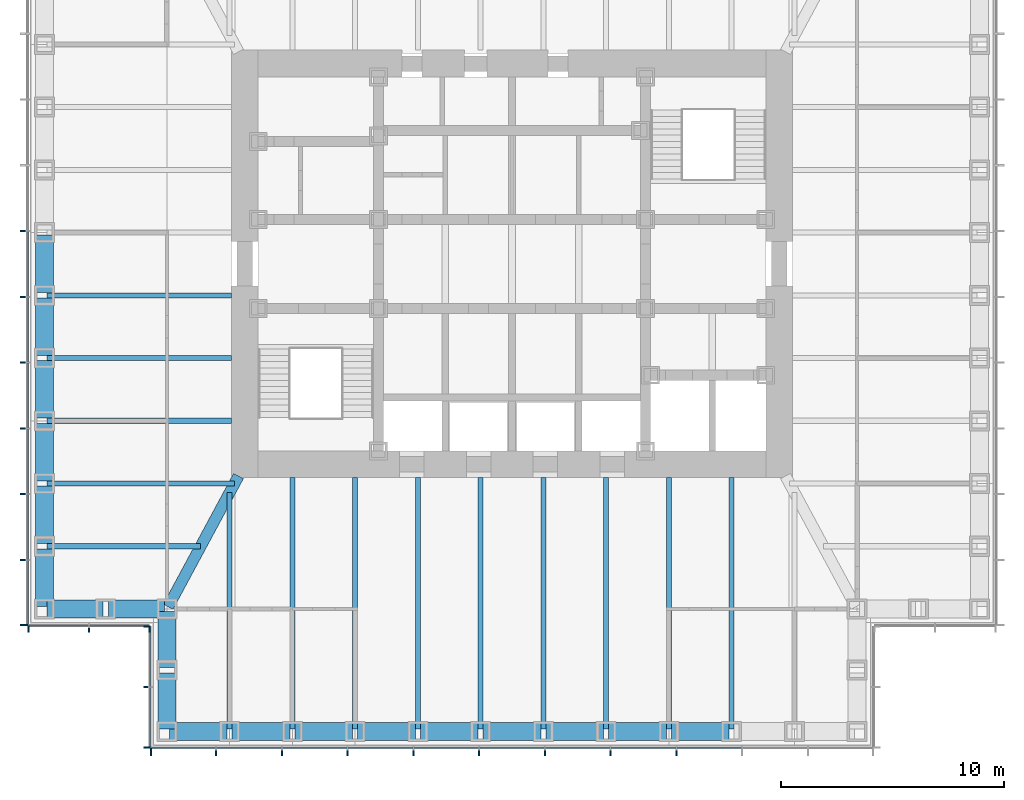
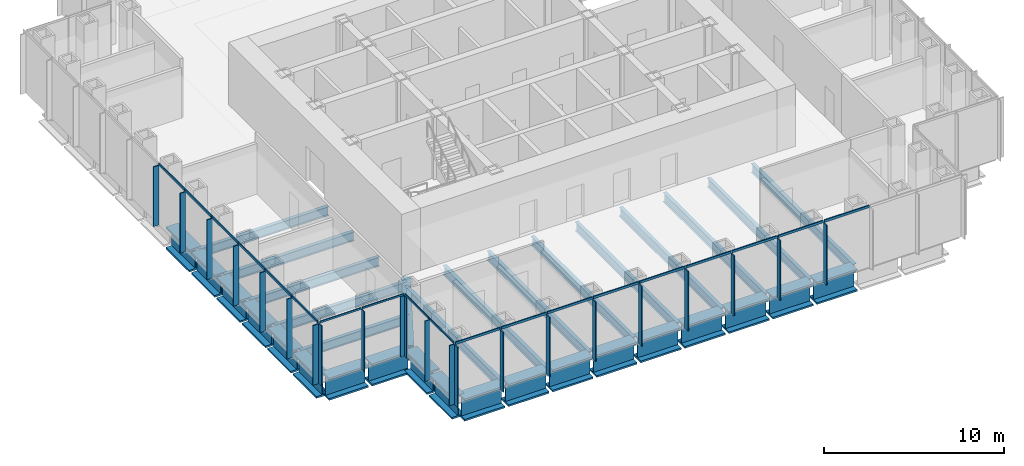
# One storey, part 2 of 16: 41 members, 34 beams, 4 elements without a shape of their own.
"""IFC4 building model written with IfcOpenShell, lengths in metres."""

from ifc_helpers import new_model, si_unit, direction, frame, origin, origin_2d, place, context, subcontext, project, spatial, rectangle, i_section, extrude, material, material_profile, profile_set, type_object, element, aggregate, save


model = new_model("IFC4")

# Units and contexts
model_context = context("Model", 3, precision=1e-05, world=origin(), true_north=direction((0.0, 1.0)))
body_context = subcontext(model_context, "Body", "Model", "MODEL_VIEW")
ifc_project = project(units=[si_unit("LENGTHUNIT", "METRE"), si_unit("AREAUNIT", "SQUARE_METRE"), si_unit("VOLUMEUNIT", "CUBIC_METRE"), si_unit("PLANEANGLEUNIT", "RADIAN"), si_unit("MASSUNIT", "GRAM", prefix="KILO")], contexts=[model_context])

# Site, building, storey
site_placement = place(None, origin())
site = spatial("IfcSite", under=ifc_project, at=site_placement, CompositionType="ELEMENT")
building_placement = place(site_placement, origin())
building = spatial("IfcBuilding", under=site, at=building_placement, Name="Daluyong Arena Tower", CompositionType="ELEMENT")
storey_placement = place(building_placement, frame((0.0, 0.0, 198.10009765625)))
storey = spatial("IfcBuildingStorey", under=building, at=storey_placement, Name="L44", CompositionType="ELEMENT", Elevation=198.10009765625)

# Curtain wall, members
ifc_material_1 = material(Name="Bronze anodised aluminium and glass", Category="aluminium")
curtain_wall_type_1 = type_object("IfcCurtainWallType", Name="Curtain wall CW3", PredefinedType="USERDEFINED", material=ifc_material_1)
curtain_wall_1_placement = place(storey_placement, origin())
curtain_wall_1 = element("IfcCurtainWall", 1, at=curtain_wall_1_placement, inside=storey, type_object=curtain_wall_type_1, Name="curtain wall L44 S", ObjectType="UNITISED CURTAIN WALL", PredefinedType="USERDEFINED")
ifc_material_2 = material(Name="Bronze anodised aluminium fin", Category="aluminium")
ifc_material_profile_1 = material_profile(ifc_material_2, rectangle(XDim=0.35009765625, YDim=0.070068359375, at=origin_2d()))
ifc_profile_set_1 = profile_set([ifc_material_profile_1], Name="Bronze anodised aluminium fin")
member_type_1 = type_object("IfcMemberType", Name="CW3 bronze fin 350x70", PredefinedType="MULLION", material=ifc_profile_set_1)
member_1_placement = place(storey_placement, frame((39.784912109375, 58.074951171875, 0.0), z_axis=(0.0, 0.0, 1.0), x_axis=(0.0, 1.0, 0.0)))
member_1 = element("IfcMember", 2, at=member_1_placement, type_object=member_type_1, Name="curtain wall L44 S fin 1", PredefinedType="MULLION", context=body_context, shape_type="SweptSolid", body=[
    extrude(rectangle(XDim=0.35009765625, YDim=0.070068359375, at=origin_2d()), origin(), (0.0, 0.0, 1.0), 4.039794921875),
])
member_2_placement = place(storey_placement, frame((42.70458984375, 58.074951171875, 0.0), z_axis=(0.0, 0.0, 1.0), x_axis=(0.0, 1.0, 0.0)))
member_2 = element("IfcMember", 3, at=member_2_placement, type_object=member_type_1, Name="curtain wall L44 S fin 2", PredefinedType="MULLION", context=body_context, shape_type="SweptSolid", body=[
    extrude(rectangle(XDim=0.35009765625, YDim=0.070068359375, at=origin_2d()), origin(), (0.0, 0.0, 1.0), 4.039794921875),
])
member_3_placement = place(storey_placement, frame((45.6591796875, 58.074951171875, 0.0), z_axis=(0.0, 0.0, 1.0), x_axis=(0.0, 1.0, 0.0)))
member_3 = element("IfcMember", 4, at=member_3_placement, type_object=member_type_1, Name="curtain wall L44 S fin 3", PredefinedType="MULLION", context=body_context, shape_type="SweptSolid", body=[
    extrude(rectangle(XDim=0.35009765625, YDim=0.070068359375, at=origin_2d()), origin(), (0.0, 0.0, 1.0), 4.039794921875),
])
member_4_placement = place(storey_placement, frame((48.613525390625, 58.074951171875, 0.0), z_axis=(0.0, 0.0, 1.0), x_axis=(0.0, 1.0, 0.0)))
member_4 = element("IfcMember", 5, at=member_4_placement, type_object=member_type_1, Name="curtain wall L44 S fin 4", PredefinedType="MULLION", context=body_context, shape_type="SweptSolid", body=[
    extrude(rectangle(XDim=0.35009765625, YDim=0.070068359375, at=origin_2d()), origin(), (0.0, 0.0, 1.0), 4.039794921875),
])
member_5_placement = place(storey_placement, frame((51.568115234375, 58.074951171875, 0.0), z_axis=(0.0, 0.0, 1.0), x_axis=(0.0, 1.0, 0.0)))
member_5 = element("IfcMember", 6, at=member_5_placement, type_object=member_type_1, Name="curtain wall L44 S fin 5", PredefinedType="MULLION", context=body_context, shape_type="SweptSolid", body=[
    extrude(rectangle(XDim=0.35009765625, YDim=0.070068359375, at=origin_2d()), origin(), (0.0, 0.0, 1.0), 4.039794921875),
])
member_6_placement = place(storey_placement, frame((54.522705078125, 58.074951171875, 0.0), z_axis=(0.0, 0.0, 1.0), x_axis=(0.0, 1.0, 0.0)))
member_6 = element("IfcMember", 7, at=member_6_placement, type_object=member_type_1, Name="curtain wall L44 S fin 6", PredefinedType="MULLION", context=body_context, shape_type="SweptSolid", body=[
    extrude(rectangle(XDim=0.35009765625, YDim=0.070068359375, at=origin_2d()), origin(), (0.0, 0.0, 1.0), 4.039794921875),
])
member_7_placement = place(storey_placement, frame((57.477294921875, 58.074951171875, 0.0), z_axis=(0.0, 0.0, 1.0), x_axis=(0.0, 1.0, 0.0)))
member_7 = element("IfcMember", 8, at=member_7_placement, type_object=member_type_1, Name="curtain wall L44 S fin 7", PredefinedType="MULLION", context=body_context, shape_type="SweptSolid", body=[
    extrude(rectangle(XDim=0.35009765625, YDim=0.070068359375, at=origin_2d()), origin(), (0.0, 0.0, 1.0), 4.039794921875),
])
member_8_placement = place(storey_placement, frame((60.431884765625, 58.074951171875, 0.0), z_axis=(0.0, 0.0, 1.0), x_axis=(0.0, 1.0, 0.0)))
member_8 = element("IfcMember", 9, at=member_8_placement, type_object=member_type_1, Name="curtain wall L44 S fin 8", PredefinedType="MULLION", context=body_context, shape_type="SweptSolid", body=[
    extrude(rectangle(XDim=0.35009765625, YDim=0.070068359375, at=origin_2d()), origin(), (0.0, 0.0, 1.0), 4.039794921875),
])
member_9_placement = place(storey_placement, frame((63.386474609375, 58.074951171875, 0.0), z_axis=(0.0, 0.0, 1.0), x_axis=(0.0, 1.0, 0.0)))
member_9 = element("IfcMember", 10, at=member_9_placement, type_object=member_type_1, Name="curtain wall L44 S fin 9", PredefinedType="MULLION", context=body_context, shape_type="SweptSolid", body=[
    extrude(rectangle(XDim=0.35009765625, YDim=0.070068359375, at=origin_2d()), origin(), (0.0, 0.0, 1.0), 4.039794921875),
])

curtain_wall_2_placement = place(storey_placement, origin())
curtain_wall_2 = element("IfcCurtainWall", 11, at=curtain_wall_2_placement, inside=storey, type_object=curtain_wall_type_1, Name="curtain wall L44 W", ObjectType="UNITISED CURTAIN WALL", PredefinedType="USERDEFINED")
member_10_placement = place(storey_placement, frame((34.074951171875, 81.477294921875, 0.0), z_axis=(0.0, 0.0, 1.0), x_axis=(1.0, 0.0, 0.0)))
member_10 = element("IfcMember", 12, at=member_10_placement, type_object=member_type_1, Name="curtain wall L44 W fin 6", PredefinedType="MULLION", context=body_context, shape_type="SweptSolid", body=[
    extrude(rectangle(XDim=0.35009765625, YDim=0.070068359375, at=origin_2d()), origin(), (0.0, 0.0, 1.0), 4.039794921875),
])
member_11_placement = place(storey_placement, frame((34.074951171875, 78.522705078125, 0.0), z_axis=(0.0, 0.0, 1.0), x_axis=(1.0, 0.0, 0.0)))
member_11 = element("IfcMember", 13, at=member_11_placement, type_object=member_type_1, Name="curtain wall L44 W fin 7", PredefinedType="MULLION", context=body_context, shape_type="SweptSolid", body=[
    extrude(rectangle(XDim=0.35009765625, YDim=0.070068359375, at=origin_2d()), origin(), (0.0, 0.0, 1.0), 4.039794921875),
])
member_12_placement = place(storey_placement, frame((34.074951171875, 75.568115234375, 0.0), z_axis=(0.0, 0.0, 1.0), x_axis=(1.0, 0.0, 0.0)))
member_12 = element("IfcMember", 14, at=member_12_placement, type_object=member_type_1, Name="curtain wall L44 W fin 8", PredefinedType="MULLION", context=body_context, shape_type="SweptSolid", body=[
    extrude(rectangle(XDim=0.35009765625, YDim=0.070068359375, at=origin_2d()), origin(), (0.0, 0.0, 1.0), 4.039794921875),
])
member_13_placement = place(storey_placement, frame((34.074951171875, 72.613525390625, 0.0), z_axis=(0.0, 0.0, 1.0), x_axis=(1.0, 0.0, 0.0)))
member_13 = element("IfcMember", 15, at=member_13_placement, type_object=member_type_1, Name="curtain wall L44 W fin 9", PredefinedType="MULLION", context=body_context, shape_type="SweptSolid", body=[
    extrude(rectangle(XDim=0.35009765625, YDim=0.070068359375, at=origin_2d()), origin(), (0.0, 0.0, 1.0), 4.039794921875),
])
member_14_placement = place(storey_placement, frame((34.074951171875, 69.6591796875, 0.0), z_axis=(0.0, 0.0, 1.0), x_axis=(1.0, 0.0, 0.0)))
member_14 = element("IfcMember", 16, at=member_14_placement, type_object=member_type_1, Name="curtain wall L44 W fin 10", PredefinedType="MULLION", context=body_context, shape_type="SweptSolid", body=[
    extrude(rectangle(XDim=0.35009765625, YDim=0.070068359375, at=origin_2d()), origin(), (0.0, 0.0, 1.0), 4.039794921875),
])
member_15_placement = place(storey_placement, frame((34.074951171875, 66.70458984375, 0.0), z_axis=(0.0, 0.0, 1.0), x_axis=(1.0, 0.0, 0.0)))
member_15 = element("IfcMember", 17, at=member_15_placement, type_object=member_type_1, Name="curtain wall L44 W fin 11", PredefinedType="MULLION", context=body_context, shape_type="SweptSolid", body=[
    extrude(rectangle(XDim=0.35009765625, YDim=0.070068359375, at=origin_2d()), origin(), (0.0, 0.0, 1.0), 4.039794921875),
])
member_16_placement = place(storey_placement, frame((34.074951171875, 63.784912109375, 0.0), z_axis=(0.0, 0.0, 1.0), x_axis=(1.0, 0.0, 0.0)))
member_16 = element("IfcMember", 18, at=member_16_placement, type_object=member_type_1, Name="curtain wall L44 W fin 12", PredefinedType="MULLION", context=body_context, shape_type="SweptSolid", body=[
    extrude(rectangle(XDim=0.35009765625, YDim=0.070068359375, at=origin_2d()), origin(), (0.0, 0.0, 1.0), 4.039794921875),
])

# Member
ifc_material_3 = material(Name="Bronze anodised aluminium", Category="aluminium")
ifc_material_profile_2 = material_profile(ifc_material_3, rectangle(XDim=0.070068359375, YDim=0.159912109375, at=origin_2d()))
ifc_profile_set_2 = profile_set([ifc_material_profile_2], Name="Bronze anodised aluminium")
member_type_2 = type_object("IfcMemberType", Name="CW3 stack transom 160x70", PredefinedType="USERDEFINED", material=ifc_profile_set_2)
member_17_placement = place(storey_placement, frame((39.820068359375, 58.25, 4.119873046875), z_axis=(1.0, 0.0, 0.0), x_axis=(0.0, 1.0, 0.0)))
member_17 = element("IfcMember", 19, at=member_17_placement, type_object=member_type_2, Name="curtain wall L44 S transom 1", ObjectType="TRANSOM", PredefinedType="USERDEFINED", context=body_context, shape_type="SweptSolid", body=[
    extrude(rectangle(XDim=0.070068359375, YDim=0.159912109375, at=origin_2d()), origin(), (0.0, 0.0, 1.0), 2.849365234375),
])

member_18_placement = place(storey_placement, frame((42.739501953125, 58.25, 4.119873046875), z_axis=(1.0, 0.0, 0.0), x_axis=(0.0, 1.0, 0.0)))
member_18 = element("IfcMember", 20, at=member_18_placement, type_object=member_type_2, Name="curtain wall L44 S transom 2", ObjectType="TRANSOM", PredefinedType="USERDEFINED", context=body_context, shape_type="SweptSolid", body=[
    extrude(rectangle(XDim=0.070068359375, YDim=0.159912109375, at=origin_2d()), origin(), (0.0, 0.0, 1.0), 2.884521484375),
])

member_19_placement = place(storey_placement, frame((45.694091796875, 58.25, 4.119873046875), z_axis=(1.0, 0.0, 0.0), x_axis=(0.0, 1.0, 0.0)))
member_19 = element("IfcMember", 21, at=member_19_placement, type_object=member_type_2, Name="curtain wall L44 S transom 3", ObjectType="TRANSOM", PredefinedType="USERDEFINED", context=body_context, shape_type="SweptSolid", body=[
    extrude(rectangle(XDim=0.070068359375, YDim=0.159912109375, at=origin_2d()), origin(), (0.0, 0.0, 1.0), 2.884521484375),
])

member_20_placement = place(storey_placement, frame((48.648681640625, 58.25, 4.119873046875), z_axis=(1.0, 0.0, 0.0), x_axis=(0.0, 1.0, 0.0)))
member_20 = element("IfcMember", 22, at=member_20_placement, type_object=member_type_2, Name="curtain wall L44 S transom 4", ObjectType="TRANSOM", PredefinedType="USERDEFINED", context=body_context, shape_type="SweptSolid", body=[
    extrude(rectangle(XDim=0.070068359375, YDim=0.159912109375, at=origin_2d()), origin(), (0.0, 0.0, 1.0), 2.884521484375),
])

member_21_placement = place(storey_placement, frame((51.603271484375, 58.25, 4.119873046875), z_axis=(1.0, 0.0, 0.0), x_axis=(0.0, 1.0, 0.0)))
member_21 = element("IfcMember", 23, at=member_21_placement, type_object=member_type_2, Name="curtain wall L44 S transom 5", ObjectType="TRANSOM", PredefinedType="USERDEFINED", context=body_context, shape_type="SweptSolid", body=[
    extrude(rectangle(XDim=0.070068359375, YDim=0.159912109375, at=origin_2d()), origin(), (0.0, 0.0, 1.0), 2.884521484375),
])

member_22_placement = place(storey_placement, frame((54.5576171875, 58.25, 4.119873046875), z_axis=(1.0, 0.0, 0.0), x_axis=(0.0, 1.0, 0.0)))
member_22 = element("IfcMember", 24, at=member_22_placement, type_object=member_type_2, Name="curtain wall L44 S transom 6", ObjectType="TRANSOM", PredefinedType="USERDEFINED", context=body_context, shape_type="SweptSolid", body=[
    extrude(rectangle(XDim=0.070068359375, YDim=0.159912109375, at=origin_2d()), origin(), (0.0, 0.0, 1.0), 2.884765625),
])

member_23_placement = place(storey_placement, frame((57.51220703125, 58.25, 4.119873046875), z_axis=(1.0, 0.0, 0.0), x_axis=(0.0, 1.0, 0.0)))
member_23 = element("IfcMember", 25, at=member_23_placement, type_object=member_type_2, Name="curtain wall L44 S transom 7", ObjectType="TRANSOM", PredefinedType="USERDEFINED", context=body_context, shape_type="SweptSolid", body=[
    extrude(rectangle(XDim=0.070068359375, YDim=0.159912109375, at=origin_2d()), origin(), (0.0, 0.0, 1.0), 2.884521484375),
])

member_24_placement = place(storey_placement, frame((60.466796875, 58.25, 4.119873046875), z_axis=(1.0, 0.0, 0.0), x_axis=(0.0, 1.0, 0.0)))
member_24 = element("IfcMember", 26, at=member_24_placement, type_object=member_type_2, Name="curtain wall L44 S transom 8", ObjectType="TRANSOM", PredefinedType="USERDEFINED", context=body_context, shape_type="SweptSolid", body=[
    extrude(rectangle(XDim=0.070068359375, YDim=0.159912109375, at=origin_2d()), origin(), (0.0, 0.0, 1.0), 2.884521484375),
])

member_25_placement = place(storey_placement, frame((63.42138671875, 58.25, 4.119873046875), z_axis=(1.0, 0.0, 0.0), x_axis=(0.0, 1.0, 0.0)))
member_25 = element("IfcMember", 27, at=member_25_placement, type_object=member_type_2, Name="curtain wall L44 S transom 9", ObjectType="TRANSOM", PredefinedType="USERDEFINED", context=body_context, shape_type="SweptSolid", body=[
    extrude(rectangle(XDim=0.070068359375, YDim=0.159912109375, at=origin_2d()), origin(), (0.0, 0.0, 1.0), 2.884521484375),
])

aggregate(curtain_wall_1, [member_1, member_2, member_3, member_4, member_5, member_6, member_7, member_8, member_9, member_17, member_18, member_19, member_20, member_21, member_22, member_23, member_24, member_25])

member_26_placement = place(storey_placement, frame((34.25, 81.4423828125, 4.119873046875), z_axis=(0.0, -1.0, 0.0), x_axis=(1.0, 0.0, 0.0)))
member_26 = element("IfcMember", 28, at=member_26_placement, type_object=member_type_2, Name="curtain wall L44 W transom 6", ObjectType="TRANSOM", PredefinedType="USERDEFINED", context=body_context, shape_type="SweptSolid", body=[
    extrude(rectangle(XDim=0.070068359375, YDim=0.159912109375, at=origin_2d()), origin(), (0.0, 0.0, 1.0), 2.884765625),
])

member_27_placement = place(storey_placement, frame((34.25, 78.48779296875, 4.119873046875), z_axis=(0.0, -1.0, 0.0), x_axis=(1.0, 0.0, 0.0)))
member_27 = element("IfcMember", 29, at=member_27_placement, type_object=member_type_2, Name="curtain wall L44 W transom 7", ObjectType="TRANSOM", PredefinedType="USERDEFINED", context=body_context, shape_type="SweptSolid", body=[
    extrude(rectangle(XDim=0.070068359375, YDim=0.159912109375, at=origin_2d()), origin(), (0.0, 0.0, 1.0), 2.884521484375),
])

member_28_placement = place(storey_placement, frame((34.25, 75.533203125, 4.119873046875), z_axis=(0.0, -1.0, 0.0), x_axis=(1.0, 0.0, 0.0)))
member_28 = element("IfcMember", 30, at=member_28_placement, type_object=member_type_2, Name="curtain wall L44 W transom 8", ObjectType="TRANSOM", PredefinedType="USERDEFINED", context=body_context, shape_type="SweptSolid", body=[
    extrude(rectangle(XDim=0.070068359375, YDim=0.159912109375, at=origin_2d()), origin(), (0.0, 0.0, 1.0), 2.884521484375),
])

member_29_placement = place(storey_placement, frame((34.25, 72.57861328125, 4.119873046875), z_axis=(0.0, -1.0, 0.0), x_axis=(1.0, 0.0, 0.0)))
member_29 = element("IfcMember", 31, at=member_29_placement, type_object=member_type_2, Name="curtain wall L44 W transom 9", ObjectType="TRANSOM", PredefinedType="USERDEFINED", context=body_context, shape_type="SweptSolid", body=[
    extrude(rectangle(XDim=0.070068359375, YDim=0.159912109375, at=origin_2d()), origin(), (0.0, 0.0, 1.0), 2.884521484375),
])

member_30_placement = place(storey_placement, frame((34.25, 69.6240234375, 4.119873046875), z_axis=(0.0, -1.0, 0.0), x_axis=(1.0, 0.0, 0.0)))
member_30 = element("IfcMember", 32, at=member_30_placement, type_object=member_type_2, Name="curtain wall L44 W transom 10", ObjectType="TRANSOM", PredefinedType="USERDEFINED", context=body_context, shape_type="SweptSolid", body=[
    extrude(rectangle(XDim=0.070068359375, YDim=0.159912109375, at=origin_2d()), origin(), (0.0, 0.0, 1.0), 2.884521484375),
])

member_31_placement = place(storey_placement, frame((34.25, 66.66943359375, 4.119873046875), z_axis=(0.0, -1.0, 0.0), x_axis=(1.0, 0.0, 0.0)))
member_31 = element("IfcMember", 33, at=member_31_placement, type_object=member_type_2, Name="curtain wall L44 W transom 11", ObjectType="TRANSOM", PredefinedType="USERDEFINED", context=body_context, shape_type="SweptSolid", body=[
    extrude(rectangle(XDim=0.070068359375, YDim=0.159912109375, at=origin_2d()), origin(), (0.0, 0.0, 1.0), 2.849365234375),
])

aggregate(curtain_wall_2, [member_10, member_11, member_12, member_13, member_14, member_15, member_16, member_26, member_27, member_28, member_29, member_30, member_31])

# Curtain wall, members
ifc_material_4 = material(Name="Bronze anodised aluminium and glass", Category="aluminium")
curtain_wall_type_2 = type_object("IfcCurtainWallType", Name="Curtain wall CW7", PredefinedType="USERDEFINED", material=ifc_material_4)
curtain_wall_3_placement = place(storey_placement, origin())
curtain_wall_3 = element("IfcCurtainWall", 34, at=curtain_wall_3_placement, inside=storey, type_object=curtain_wall_type_2, Name="curtain wall L44 SW-S", ObjectType="UNITISED CURTAIN WALL", PredefinedType="USERDEFINED")
ifc_material_5 = material(Name="Bronze anodised aluminium fin", Category="aluminium")
ifc_material_profile_3 = material_profile(ifc_material_5, rectangle(XDim=0.300048828125, YDim=0.06005859375, at=origin_2d()))
ifc_profile_set_3 = profile_set([ifc_material_profile_3], Name="Bronze anodised aluminium fin")
member_type_3 = type_object("IfcMemberType", Name="CW7 bronze fin 300x60", PredefinedType="MULLION", material=ifc_profile_set_3)
member_32_placement = place(storey_placement, frame((34.280029296875, 63.60009765625, 0.0), z_axis=(0.0, 0.0, 1.0), x_axis=(0.0, 1.0, 0.0)))
member_32 = element("IfcMember", 35, at=member_32_placement, type_object=member_type_3, Name="curtain wall L44 SW-S fin 1", PredefinedType="MULLION", context=body_context, shape_type="SweptSolid", body=[
    extrude(rectangle(XDim=0.300048828125, YDim=0.06005859375, at=origin_2d()), origin(), (0.0, 0.0, 1.0), 4.079833984375),
])
member_33_placement = place(storey_placement, frame((37.0, 63.60009765625, 0.0), z_axis=(0.0, 0.0, 1.0), x_axis=(0.0, 1.0, 0.0)))
member_33 = element("IfcMember", 36, at=member_33_placement, type_object=member_type_3, Name="curtain wall L44 SW-S fin 2", PredefinedType="MULLION", context=body_context, shape_type="SweptSolid", body=[
    extrude(rectangle(XDim=0.300048828125, YDim=0.06005859375, at=origin_2d()), origin(), (0.0, 0.0, 1.0), 4.079833984375),
])
member_34_placement = place(storey_placement, frame((39.719970703125, 63.60009765625, 0.0), z_axis=(0.0, 0.0, 1.0), x_axis=(0.0, 1.0, 0.0)))
member_34 = element("IfcMember", 37, at=member_34_placement, type_object=member_type_3, Name="curtain wall L44 SW-S fin 3", PredefinedType="MULLION", context=body_context, shape_type="SweptSolid", body=[
    extrude(rectangle(XDim=0.300048828125, YDim=0.06005859375, at=origin_2d()), origin(), (0.0, 0.0, 1.0), 4.079833984375),
])

curtain_wall_4_placement = place(storey_placement, origin())
curtain_wall_4 = element("IfcCurtainWall", 38, at=curtain_wall_4_placement, inside=storey, type_object=curtain_wall_type_2, Name="curtain wall L44 SW-W", ObjectType="UNITISED CURTAIN WALL", PredefinedType="USERDEFINED")
member_35_placement = place(storey_placement, frame((39.60009765625, 63.719970703125, 0.0), z_axis=(0.0, 0.0, 1.0), x_axis=(1.0, 0.0, 0.0)))
member_35 = element("IfcMember", 39, at=member_35_placement, type_object=member_type_3, Name="curtain wall L44 SW-W fin 1", PredefinedType="MULLION", context=body_context, shape_type="SweptSolid", body=[
    extrude(rectangle(XDim=0.300048828125, YDim=0.06005859375, at=origin_2d()), origin(), (0.0, 0.0, 1.0), 4.079833984375),
])
member_36_placement = place(storey_placement, frame((39.60009765625, 61.0, 0.0), z_axis=(0.0, 0.0, 1.0), x_axis=(1.0, 0.0, 0.0)))
member_36 = element("IfcMember", 40, at=member_36_placement, type_object=member_type_3, Name="curtain wall L44 SW-W fin 2", PredefinedType="MULLION", context=body_context, shape_type="SweptSolid", body=[
    extrude(rectangle(XDim=0.300048828125, YDim=0.06005859375, at=origin_2d()), origin(), (0.0, 0.0, 1.0), 4.079833984375),
])
member_37_placement = place(storey_placement, frame((39.60009765625, 58.280029296875, 0.0), z_axis=(0.0, 0.0, 1.0), x_axis=(1.0, 0.0, 0.0)))
member_37 = element("IfcMember", 41, at=member_37_placement, type_object=member_type_3, Name="curtain wall L44 SW-W fin 3", PredefinedType="MULLION", context=body_context, shape_type="SweptSolid", body=[
    extrude(rectangle(XDim=0.300048828125, YDim=0.06005859375, at=origin_2d()), origin(), (0.0, 0.0, 1.0), 4.079833984375),
])

# Member
ifc_material_6 = material(Name="Bronze anodised aluminium", Category="aluminium")
ifc_material_profile_4 = material_profile(ifc_material_6, rectangle(XDim=0.06005859375, YDim=0.1201171875, at=origin_2d()))
ifc_profile_set_4 = profile_set([ifc_material_profile_4], Name="Bronze anodised aluminium")
member_type_4 = type_object("IfcMemberType", Name="CW7 stack transom 120x60", PredefinedType="USERDEFINED", material=ifc_profile_set_4)
member_38_placement = place(storey_placement, frame((34.31005859375, 63.75, 4.139892578125), z_axis=(1.0, 0.0, 0.0), x_axis=(0.0, 1.0, 0.0)))
member_38 = element("IfcMember", 42, at=member_38_placement, type_object=member_type_4, Name="curtain wall L44 SW-S transom 1", ObjectType="TRANSOM", PredefinedType="USERDEFINED", context=body_context, shape_type="SweptSolid", body=[
    extrude(rectangle(XDim=0.06005859375, YDim=0.1201171875, at=origin_2d()), origin(), (0.0, 0.0, 1.0), 2.659912109375),
])

member_39_placement = place(storey_placement, frame((37.030029296875, 63.75, 4.139892578125), z_axis=(1.0, 0.0, 0.0), x_axis=(0.0, 1.0, 0.0)))
member_39 = element("IfcMember", 43, at=member_39_placement, type_object=member_type_4, Name="curtain wall L44 SW-S transom 2", ObjectType="TRANSOM", PredefinedType="USERDEFINED", context=body_context, shape_type="SweptSolid", body=[
    extrude(rectangle(XDim=0.06005859375, YDim=0.1201171875, at=origin_2d()), origin(), (0.0, 0.0, 1.0), 2.659912109375),
])

aggregate(curtain_wall_3, [member_32, member_33, member_34, member_38, member_39])

member_40_placement = place(storey_placement, frame((39.75, 63.68994140625, 4.139892578125), z_axis=(0.0, -1.0, 0.0), x_axis=(1.0, 0.0, 0.0)))
member_40 = element("IfcMember", 44, at=member_40_placement, type_object=member_type_4, Name="curtain wall L44 SW-W transom 1", ObjectType="TRANSOM", PredefinedType="USERDEFINED", context=body_context, shape_type="SweptSolid", body=[
    extrude(rectangle(XDim=0.06005859375, YDim=0.1201171875, at=origin_2d()), origin(), (0.0, 0.0, 1.0), 2.659912109375),
])

member_41_placement = place(storey_placement, frame((39.75, 60.969970703125, 4.139892578125), z_axis=(0.0, -1.0, 0.0), x_axis=(1.0, 0.0, 0.0)))
member_41 = element("IfcMember", 45, at=member_41_placement, type_object=member_type_4, Name="curtain wall L44 SW-W transom 2", ObjectType="TRANSOM", PredefinedType="USERDEFINED", context=body_context, shape_type="SweptSolid", body=[
    extrude(rectangle(XDim=0.06005859375, YDim=0.1201171875, at=origin_2d()), origin(), (0.0, 0.0, 1.0), 2.659912109375),
])

aggregate(curtain_wall_4, [member_35, member_36, member_37, member_40, member_41])

# Beams
ifc_material_7 = material(Name="Steel ASTM A572 Grade 50", Category="steel")
ifc_material_profile_5 = material_profile(ifc_material_7, i_section(OverallWidth=0.5, OverallDepth=1.0, WebThickness=0.03, FlangeThickness=0.06, at=origin_2d()))
ifc_profile_set_5 = profile_set([ifc_material_profile_5], Name="Steel ASTM A572 Grade 50")
beam_type_1 = type_object("IfcBeamType", Name="Corner girder TB1000X500", PredefinedType="BEAM", material=ifc_profile_set_5)
beam_1_placement = place(storey_placement, frame((40.554443359375, 64.601318359375, -0.66015625), z_axis=(0.474119475266, 0.880460517669, 0.0), x_axis=(-0.880460517669, 0.474119475266, 0.0)))
element("IfcBeam", 46, at=beam_1_placement, inside=storey, type_object=beam_type_1, Name="corner girder DG2", PredefinedType="BEAM", context=body_context, shape_type="SweptSolid", body=[
    extrude(i_section(OverallWidth=0.5, OverallDepth=1.0, WebThickness=0.03, FlangeThickness=0.06, at=origin_2d()), origin(), (0.0, 0.0, 1.0), 6.66748046875),
])
ifc_material_8 = material(Name="Steel ASTM A992 Grade 50", Category="steel")
ifc_material_profile_6 = material_profile(ifc_material_8, i_section(OverallWidth=0.22900390625, OverallDepth=0.612060546875, WebThickness=0.011962890625, FlangeThickness=0.01953125, at=origin_2d()))
ifc_profile_set_6 = profile_set([ifc_material_profile_6], Name="Steel ASTM A992 Grade 50")
beam_type_2 = type_object("IfcBeamType", Name="Floor beam W24X84", PredefinedType="BEAM", material=ifc_profile_set_6)
beam_2_placement = place(storey_placement, frame((43.318115234375, 59.114990234375, -0.466064453125), z_axis=(0.0, 1.0, 0.0), x_axis=(-1.0, 0.0, 0.0)))
element("IfcBeam", 47, at=beam_2_placement, inside=storey, type_object=beam_type_2, Name="floor beam FB3", PredefinedType="BEAM", context=body_context, shape_type="SweptSolid", body=[
    extrude(i_section(OverallWidth=0.22900390625, OverallDepth=0.612060546875, WebThickness=0.011962890625, FlangeThickness=0.01953125, at=origin_2d()), origin(), (0.0, 0.0, 1.0), 10.618896484375),
])
for number, where, z_axis, x_axis, name in (
    (48, (46.136474609375, 59.114990234375, -0.466064453125), (0.0, 1.0, 0.0), (-1.0, 0.0, 0.0), "floor beam FB3"),
    (49, (48.95458984375, 59.114990234375, -0.466064453125), (0.0, 1.0, 0.0), (-1.0, 0.0, 0.0), "floor beam FB3"),
    (50, (51.772705078125, 59.114990234375, -0.466064453125), (0.0, 1.0, 0.0), (-1.0, 0.0, 0.0), "floor beam FB3"),
    (51, (54.5908203125, 59.114990234375, -0.466064453125), (0.0, 1.0, 0.0), (-1.0, 0.0, 0.0), "floor beam FB3"),
    (52, (57.4091796875, 59.114990234375, -0.466064453125), (0.0, 1.0, 0.0), (-1.0, 0.0, 0.0), "floor beam FB3"),
    (53, (60.227294921875, 59.114990234375, -0.466064453125), (0.0, 1.0, 0.0), (-1.0, 0.0, 0.0), "floor beam FB3"),
    (54, (63.04541015625, 59.114990234375, -0.466064453125), (0.0, 1.0, 0.0), (-1.0, 0.0, 0.0), "floor beam FB3"),
    (55, (65.863525390625, 59.114990234375, -0.466064453125), (0.0, 1.0, 0.0), (-1.0, 0.0, 0.0), "floor beam FB3"),
):
    element("IfcBeam", number, at=place(storey_placement, frame(where, z_axis=z_axis, x_axis=x_axis)), inside=storey, type_object=beam_type_2, Name=name, PredefinedType="BEAM", context=body_context, shape_type="SweptSolid", body=[
        extrude(i_section(OverallWidth=0.22900390625, OverallDepth=0.612060546875, WebThickness=0.011962890625, FlangeThickness=0.01953125, at=origin_2d()), origin(), (0.0, 0.0, 1.0), 11.284912109375),
    ])
for number, where, z_axis, x_axis, name in (
    (56, (35.114990234375, 78.5908203125, -0.466064453125), (1.0, 0.0, 0.0), (0.0, 1.0, 0.0), "floor beam FB3"),
    (57, (35.114990234375, 75.772705078125, -0.466064453125), (1.0, 0.0, 0.0), (0.0, 1.0, 0.0), "floor beam FB3"),
    (58, (35.114990234375, 72.95458984375, -0.466064453125), (1.0, 0.0, 0.0), (0.0, 1.0, 0.0), "floor beam FB3"),
):
    element("IfcBeam", number, at=place(storey_placement, frame(where, z_axis=z_axis, x_axis=x_axis)), inside=storey, type_object=beam_type_2, Name=name, PredefinedType="BEAM", context=body_context, shape_type="SweptSolid", body=[
        extrude(i_section(OverallWidth=0.22900390625, OverallDepth=0.612060546875, WebThickness=0.011962890625, FlangeThickness=0.01953125, at=origin_2d()), origin(), (0.0, 0.0, 1.0), 8.284912109375),
    ])
beam_3_placement = place(storey_placement, frame((35.114990234375, 70.136474609375, -0.466064453125), z_axis=(1.0, 0.0, 0.0), x_axis=(0.0, 1.0, 0.0)))
element("IfcBeam", 59, at=beam_3_placement, inside=storey, type_object=beam_type_2, Name="floor beam FB3", PredefinedType="BEAM", context=body_context, shape_type="SweptSolid", body=[
    extrude(i_section(OverallWidth=0.22900390625, OverallDepth=0.612060546875, WebThickness=0.011962890625, FlangeThickness=0.01953125, at=origin_2d()), origin(), (0.0, 0.0, 1.0), 8.419921875),
])
beam_4_placement = place(storey_placement, frame((35.114990234375, 67.318115234375, -0.466064453125), z_axis=(1.0, 0.0, 0.0), x_axis=(0.0, 1.0, 0.0)))
element("IfcBeam", 60, at=beam_4_placement, inside=storey, type_object=beam_type_2, Name="floor beam FB3", PredefinedType="BEAM", context=body_context, shape_type="SweptSolid", body=[
    extrude(i_section(OverallWidth=0.22900390625, OverallDepth=0.612060546875, WebThickness=0.011962890625, FlangeThickness=0.01953125, at=origin_2d()), origin(), (0.0, 0.0, 1.0), 6.902587890625),
])
ifc_material_9 = material(Name="Steel ASTM A588 Grade 50", Category="steel")
ifc_material_profile_7 = material_profile(ifc_material_9, i_section(OverallWidth=0.800048828125, OverallDepth=1.5, WebThickness=0.05, FlangeThickness=0.12, at=origin_2d()))
ifc_profile_set_7 = profile_set([ifc_material_profile_7], Name="Steel ASTM A588 Grade 50")
beam_type_3 = type_object("IfcBeamType", Name="Spandrel Z3 PG1500X800", PredefinedType="SPANDREL", material=ifc_profile_set_7)
beam_5_placement = place(storey_placement, frame((40.614990234375, 59.0, -0.91015625), z_axis=(1.0, 0.0, 0.0), x_axis=(0.0, 1.0, 0.0)))
element("IfcBeam", 61, at=beam_5_placement, inside=storey, type_object=beam_type_3, Name="spandrel z3 SB7", PredefinedType="SPANDREL", context=body_context, shape_type="SweptSolid", body=[
    extrude(i_section(OverallWidth=0.800048828125, OverallDepth=1.5, WebThickness=0.05, FlangeThickness=0.12, at=origin_2d()), origin(), (0.0, 0.0, 1.0), 2.588134765625),
])
beam_6_placement = place(storey_placement, frame((43.43310546875, 59.0, -0.91015625), z_axis=(1.0, 0.0, 0.0), x_axis=(0.0, 1.0, 0.0)))
element("IfcBeam", 62, at=beam_6_placement, inside=storey, type_object=beam_type_3, Name="spandrel z3 SB7", PredefinedType="SPANDREL", context=body_context, shape_type="SweptSolid", body=[
    extrude(i_section(OverallWidth=0.800048828125, OverallDepth=1.5, WebThickness=0.05, FlangeThickness=0.12, at=origin_2d()), origin(), (0.0, 0.0, 1.0), 2.58837890625),
])
for number, where, z_axis, x_axis, name in (
    (63, (46.25146484375, 59.0, -0.91015625), (1.0, 0.0, 0.0), (0.0, 1.0, 0.0), "spandrel z3 SB7"),
    (64, (49.069580078125, 59.0, -0.91015625), (1.0, 0.0, 0.0), (0.0, 1.0, 0.0), "spandrel z3 SB7"),
    (65, (51.8876953125, 59.0, -0.91015625), (1.0, 0.0, 0.0), (0.0, 1.0, 0.0), "spandrel z3 SB7"),
):
    element("IfcBeam", number, at=place(storey_placement, frame(where, z_axis=z_axis, x_axis=x_axis)), inside=storey, type_object=beam_type_3, Name=name, PredefinedType="SPANDREL", context=body_context, shape_type="SweptSolid", body=[
        extrude(i_section(OverallWidth=0.800048828125, OverallDepth=1.5, WebThickness=0.05, FlangeThickness=0.12, at=origin_2d()), origin(), (0.0, 0.0, 1.0), 2.588134765625),
    ])
beam_7_placement = place(storey_placement, frame((54.705810546875, 59.0, -0.91015625), z_axis=(1.0, 0.0, 0.0), x_axis=(0.0, 1.0, 0.0)))
element("IfcBeam", 66, at=beam_7_placement, inside=storey, type_object=beam_type_3, Name="spandrel z3 SB7", PredefinedType="SPANDREL", context=body_context, shape_type="SweptSolid", body=[
    extrude(i_section(OverallWidth=0.800048828125, OverallDepth=1.5, WebThickness=0.05, FlangeThickness=0.12, at=origin_2d()), origin(), (0.0, 0.0, 1.0), 2.58837890625),
])
for number, where, z_axis, x_axis, name in (
    (67, (57.524169921875, 59.0, -0.91015625), (1.0, 0.0, 0.0), (0.0, 1.0, 0.0), "spandrel z3 SB7"),
    (68, (60.34228515625, 59.0, -0.91015625), (1.0, 0.0, 0.0), (0.0, 1.0, 0.0), "spandrel z3 SB7"),
    (69, (63.160400390625, 59.0, -0.91015625), (1.0, 0.0, 0.0), (0.0, 1.0, 0.0), "spandrel z3 SB7"),
):
    element("IfcBeam", number, at=place(storey_placement, frame(where, z_axis=z_axis, x_axis=x_axis)), inside=storey, type_object=beam_type_3, Name=name, PredefinedType="SPANDREL", context=body_context, shape_type="SweptSolid", body=[
        extrude(i_section(OverallWidth=0.800048828125, OverallDepth=1.5, WebThickness=0.05, FlangeThickness=0.12, at=origin_2d()), origin(), (0.0, 0.0, 1.0), 2.588134765625),
    ])
beam_8_placement = place(storey_placement, frame((35.0, 81.294189453125, -0.91015625), z_axis=(0.0, -1.0, 0.0), x_axis=(1.0, 0.0, 0.0)))
element("IfcBeam", 70, at=beam_8_placement, inside=storey, type_object=beam_type_3, Name="spandrel z3 SB7", PredefinedType="SPANDREL", context=body_context, shape_type="SweptSolid", body=[
    extrude(i_section(OverallWidth=0.800048828125, OverallDepth=1.5, WebThickness=0.05, FlangeThickness=0.12, at=origin_2d()), origin(), (0.0, 0.0, 1.0), 2.58837890625),
])
for number, where, z_axis, x_axis, name in (
    (71, (35.0, 78.475830078125, -0.91015625), (0.0, -1.0, 0.0), (1.0, 0.0, 0.0), "spandrel z3 SB7"),
    (72, (35.0, 75.65771484375, -0.91015625), (0.0, -1.0, 0.0), (1.0, 0.0, 0.0), "spandrel z3 SB7"),
    (73, (35.0, 72.839599609375, -0.91015625), (0.0, -1.0, 0.0), (1.0, 0.0, 0.0), "spandrel z3 SB7"),
):
    element("IfcBeam", number, at=place(storey_placement, frame(where, z_axis=z_axis, x_axis=x_axis)), inside=storey, type_object=beam_type_3, Name=name, PredefinedType="SPANDREL", context=body_context, shape_type="SweptSolid", body=[
        extrude(i_section(OverallWidth=0.800048828125, OverallDepth=1.5, WebThickness=0.05, FlangeThickness=0.12, at=origin_2d()), origin(), (0.0, 0.0, 1.0), 2.588134765625),
    ])
beam_9_placement = place(storey_placement, frame((35.0, 70.021484375, -0.91015625), z_axis=(0.0, -1.0, 0.0), x_axis=(1.0, 0.0, 0.0)))
element("IfcBeam", 74, at=beam_9_placement, inside=storey, type_object=beam_type_3, Name="spandrel z3 SB7", PredefinedType="SPANDREL", context=body_context, shape_type="SweptSolid", body=[
    extrude(i_section(OverallWidth=0.800048828125, OverallDepth=1.5, WebThickness=0.05, FlangeThickness=0.12, at=origin_2d()), origin(), (0.0, 0.0, 1.0), 2.58837890625),
])
beam_10_placement = place(storey_placement, frame((35.0, 67.203125, -0.91015625), z_axis=(0.0, -1.0, 0.0), x_axis=(1.0, 0.0, 0.0)))
element("IfcBeam", 75, at=beam_10_placement, inside=storey, type_object=beam_type_3, Name="spandrel z3 SB7", PredefinedType="SPANDREL", context=body_context, shape_type="SweptSolid", body=[
    extrude(i_section(OverallWidth=0.800048828125, OverallDepth=1.5, WebThickness=0.05, FlangeThickness=0.12, at=origin_2d()), origin(), (0.0, 0.0, 1.0), 2.588134765625),
])
for number, where, z_axis, x_axis, name in (
    (76, (35.114990234375, 64.5, -0.91015625), (1.0, 0.0, 0.0), (0.0, 1.0, 0.0), "spandrel z3 SB7"),
    (77, (37.864990234375, 64.5, -0.91015625), (1.0, 0.0, 0.0), (0.0, 1.0, 0.0), "spandrel z3 SB7"),
    (78, (40.5, 64.385009765625, -0.91015625), (0.0, -1.0, 0.0), (1.0, 0.0, 0.0), "spandrel z3 SB7"),
    (79, (40.5, 61.635009765625, -0.91015625), (0.0, -1.0, 0.0), (1.0, 0.0, 0.0), "spandrel z3 SB7"),
):
    element("IfcBeam", number, at=place(storey_placement, frame(where, z_axis=z_axis, x_axis=x_axis)), inside=storey, type_object=beam_type_3, Name=name, PredefinedType="SPANDREL", context=body_context, shape_type="SweptSolid", body=[
        extrude(i_section(OverallWidth=0.800048828125, OverallDepth=1.5, WebThickness=0.05, FlangeThickness=0.12, at=origin_2d()), origin(), (0.0, 0.0, 1.0), 2.52001953125),
    ])

save(model, "model.ifc")
